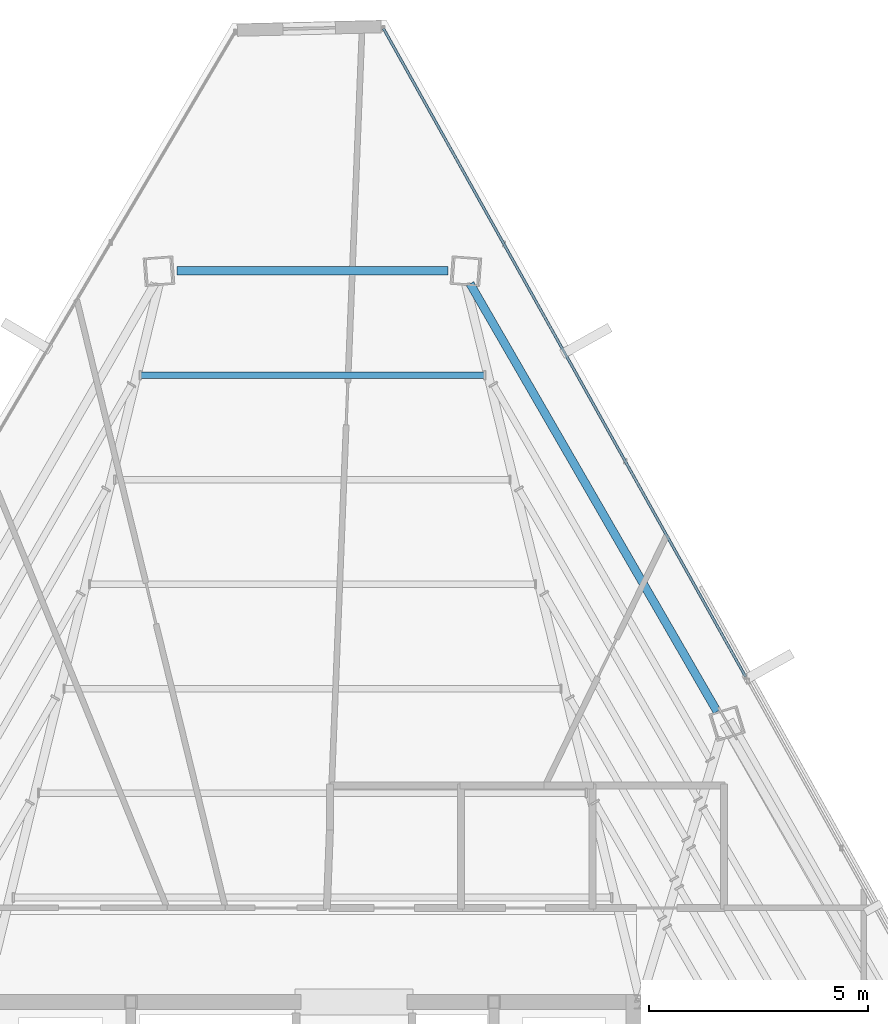
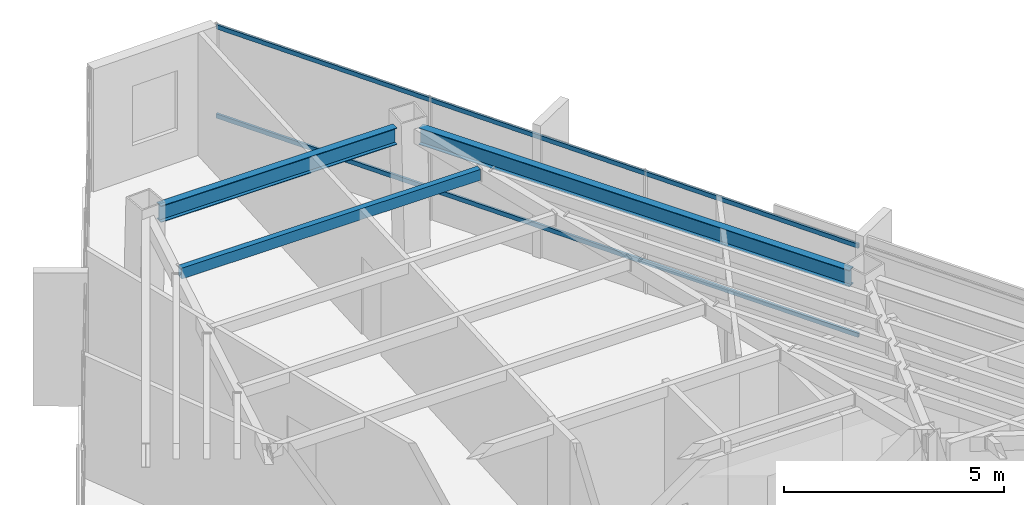
# One storey, part 35 of 48: 3 beams, 2 members, 1 element without a shape of its own.
"""IFC4 building model written with IfcOpenShell, lengths in metres."""

from ifc_helpers import new_model, si_unit, direction, frame, origin, origin_2d, place, context, subcontext, project, spatial, hollow_rectangle, i_section, extrude, source, transform, mapped, material, material_profile, profile_set, type_object, type_shapes, element, aggregate, save


model = new_model("IFC4")

# Units and contexts
model_context = context("Model", 3, precision=1e-05, world=origin(), true_north=direction((0.0, 1.0)))
body_context = subcontext(model_context, "Body", "Model", "MODEL_VIEW")
ifc_project = project(units=[si_unit("LENGTHUNIT", "METRE"), si_unit("AREAUNIT", "SQUARE_METRE"), si_unit("VOLUMEUNIT", "CUBIC_METRE"), si_unit("PLANEANGLEUNIT", "RADIAN"), si_unit("MASSUNIT", "GRAM", prefix="KILO")], contexts=[model_context])

# Site, building, storey
site_placement = place(None, origin())
site = spatial("IfcSite", under=ifc_project, at=site_placement, CompositionType="ELEMENT")
building_placement = place(site_placement, origin())
building = spatial("IfcBuilding", under=site, at=building_placement, Name="Caelisora Broadcast Tower", CompositionType="ELEMENT")
storey_placement = place(building_placement, frame((0.0, 0.0, 270.0)))
storey = spatial("IfcBuildingStorey", under=building, at=storey_placement, Name="L71", CompositionType="ELEMENT", Elevation=270.0)

# Beams
ifc_material_1 = material(Name="Steel Grade 350 (AS/NZS 3679.1)", Category="steel")
ifc_material_profile_1 = material_profile(ifc_material_1, i_section(OverallWidth=0.19091796875, OverallDepth=0.46044921875, WebThickness=0.010009765625, FlangeThickness=0.01611328125, at=origin_2d()), Name="Steel Grade 350 (AS/NZS 3679.1)")
ifc_profile_set_1 = profile_set([ifc_material_profile_1], Name="Steel Grade 350 (AS/NZS 3679.1)")
beam_type_1 = type_object("IfcBeamType", Name="PG06", PredefinedType="BEAM", material=ifc_profile_set_1)
shared_shape_1 = source(origin(), body_context, "Body", "SweptSolid", [
    extrude(i_section(OverallWidth=0.19091796875, OverallDepth=0.46044921875, WebThickness=0.010009765625, FlangeThickness=0.01611328125, at=origin_2d()), origin(), (0.0, 0.0, 1.0), 6.19189453125),
])
beam_1_placement = place(storey_placement, frame((41.095947265625, 46.705078125, 3.169921875), z_axis=(-1.0, 0.0, 0.0), x_axis=(0.0, -1.0, 0.0)))
element("IfcBeam", 1, at=beam_1_placement, inside=storey, type_object=beam_type_1, Name="L71 beam PG06", PredefinedType="BEAM", context=body_context, shape_type="MappedRepresentation", body=[
    mapped(shared_shape_1, transform((0.0, 0.0, 0.0), scale=1.0)),
])
shared_shape_2 = source(origin(), body_context, "Body", "SweptSolid", [
    extrude(i_section(OverallWidth=0.19091796875, OverallDepth=0.46044921875, WebThickness=0.010009765625, FlangeThickness=0.01611328125, at=origin_2d()), origin(), (0.0, 0.0, 1.0), 11.288330078125),
])
type_shapes(beam_type_1, [shared_shape_1, shared_shape_2])
beam_2_placement = place(storey_placement, frame((47.2470703125, 36.636474609375, 3.169921875), z_axis=(-0.500012011807, 0.866018468653, 0.0), x_axis=(-0.866018468653, -0.500012011807, 0.0)))
element("IfcBeam", 2, at=beam_2_placement, inside=storey, type_object=beam_type_1, Name="L71 beam PG06", PredefinedType="BEAM", context=body_context, shape_type="MappedRepresentation", body=[
    mapped(shared_shape_2, transform((0.0, 0.0, 0.0), scale=1.0)),
])
ifc_material_2 = material(Name="Steel Grade 350 (AS/NZS 1163 C350L0)", Category="steel")
ifc_material_profile_2 = material_profile(ifc_material_2, hollow_rectangle(XDim=0.14990234375, YDim=0.300048828125, WallThickness=0.010009765625, at=origin_2d()), Name="Steel Grade 350 (AS/NZS 1163 C350L0)")
ifc_profile_set_2 = profile_set([ifc_material_profile_2], Name="Steel Grade 350 (AS/NZS 1163 C350L0)")
beam_type_2 = type_object("IfcBeamType", Name="SB05", PredefinedType="JOIST", material=ifc_profile_set_2)
shared_shape_3 = source(origin(), body_context, "Body", "SweptSolid", [
    extrude(hollow_rectangle(XDim=0.14990234375, YDim=0.300048828125, WallThickness=0.010009765625, at=origin_2d()), origin(), (0.0, 0.0, 1.0), 7.82958984375),
])
type_shapes(beam_type_2, [shared_shape_3])
beam_3_placement = place(storey_placement, frame((41.914794921875, 44.318603515625, 3.25), z_axis=(-1.0, 0.0, 0.0), x_axis=(0.0, -1.0, 0.0)))
element("IfcBeam", 3, at=beam_3_placement, inside=storey, type_object=beam_type_2, Name="L71 beam SB05", PredefinedType="JOIST", context=body_context, shape_type="MappedRepresentation", body=[
    mapped(shared_shape_3, transform((0.0, 0.0, 0.0), scale=1.0)),
])

# Curtain wall, members
ifc_material_3 = material(Name="Unitised Aluminium and Low-E Glass Curtain Wall", Category="glass")
curtain_wall_type = type_object("IfcCurtainWallType", Name="CW-Z5", PredefinedType="NOTDEFINED", material=ifc_material_3)
curtain_wall_placement = place(storey_placement, origin())
curtain_wall = element("IfcCurtainWall", 4, at=curtain_wall_placement, inside=storey, type_object=curtain_wall_type, Name="L71 curtain wall CW-Z5", PredefinedType="NOTDEFINED")
ifc_material_4 = material(Name="Aluminium 6063-T6 Anodised Terracotta Bronze", Category="aluminium")
ifc_material_profile_3 = material_profile(ifc_material_4, hollow_rectangle(XDim=0.06005859375, YDim=0.1201171875, WallThickness=0.0029296875, at=origin_2d()), Name="Aluminium 6063-T6 Anodised Terracotta Bronze")
ifc_profile_set_3 = profile_set([ifc_material_profile_3], Name="Aluminium 6063-T6 Anodised Terracotta Bronze")
member_type = type_object("IfcMemberType", Name="CWT-03", PredefinedType="USERDEFINED", material=ifc_profile_set_3)
shared_shape_4 = source(origin(), body_context, "Body", "SweptSolid", [
    extrude(hollow_rectangle(XDim=0.06005859375, YDim=0.1201171875, WallThickness=0.0029296875, at=origin_2d()), origin(), (0.0, 0.0, 1.0), 16.96630859375),
])
type_shapes(member_type, [shared_shape_4])
member_1_placement = place(storey_placement, frame((39.623291015625, 52.243408203125, 0.85009765625), z_axis=(0.487736857742, -0.872990697316, 0.0), x_axis=(0.872990697316, 0.487736857742, 0.0)))
member_1 = element("IfcMember", 5, at=member_1_placement, type_object=member_type, Name="L71-CW-B01 transom #1", ObjectType="TRANSOM", PredefinedType="USERDEFINED", context=body_context, shape_type="MappedRepresentation", body=[
    mapped(shared_shape_4, transform((0.0, 0.0, 0.0), scale=1.0)),
])
member_2_placement = place(storey_placement, frame((39.623291015625, 52.243408203125, 3.320068359375), z_axis=(0.487736857742, -0.872990697316, 0.0), x_axis=(0.872990697316, 0.487736857742, 0.0)))
member_2 = element("IfcMember", 6, at=member_2_placement, type_object=member_type, Name="L71-CW-B01 transom #2", ObjectType="TRANSOM", PredefinedType="USERDEFINED", context=body_context, shape_type="MappedRepresentation", body=[
    mapped(shared_shape_4, transform((0.0, 0.0, 0.0), scale=1.0)),
])
aggregate(curtain_wall, [member_1, member_2])

save(model, "model.ifc")
